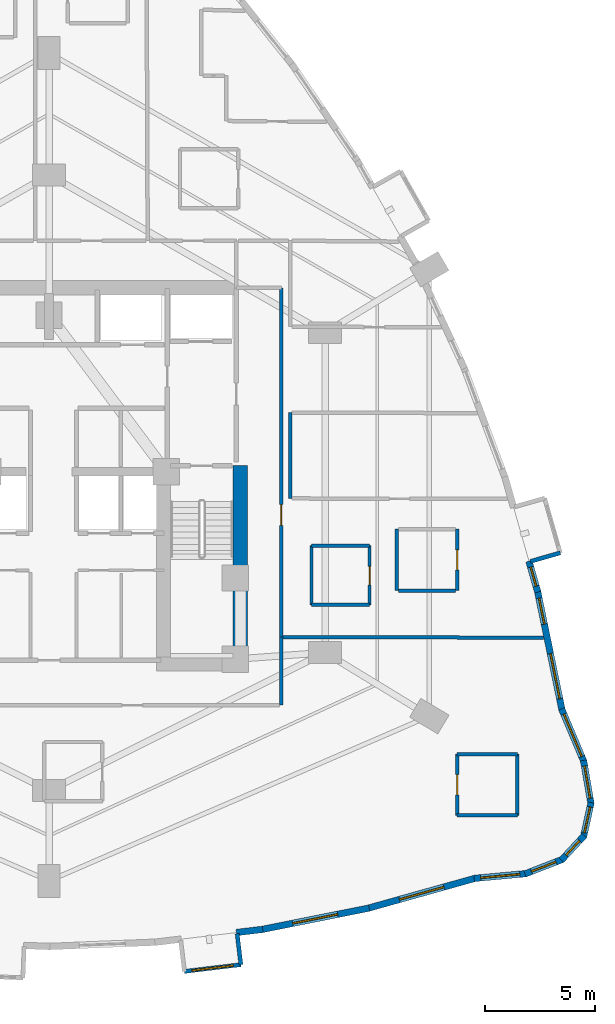
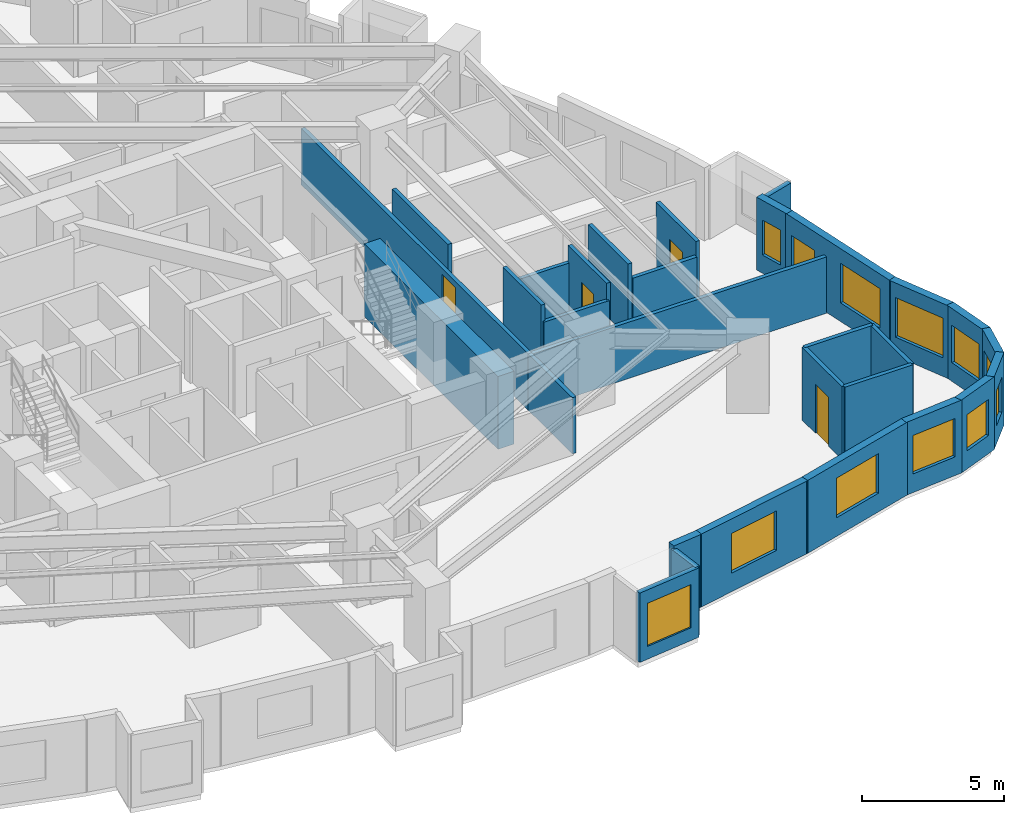
# One storey, part 9 of 13: 30 walls, 12 windows, 4 doors, 16 openings.
"""IFC4 building model written with IfcOpenShell, lengths in metres."""

from ifc_helpers import new_model, si_unit, direction, frame, frame_2d, origin, place, context, subcontext, project, spatial, rectangle, extrude, material, layer, layer_set, type_object, element, fill, save


model = new_model("IFC4")

# Units and contexts
model_context = context("Model", 3, precision=1e-05, world=origin(), true_north=direction((0.0, 1.0)))
body_context = subcontext(model_context, "Body", "Model", "MODEL_VIEW")
ifc_project = project(units=[si_unit("LENGTHUNIT", "METRE"), si_unit("AREAUNIT", "SQUARE_METRE"), si_unit("VOLUMEUNIT", "CUBIC_METRE"), si_unit("PLANEANGLEUNIT", "RADIAN"), si_unit("MASSUNIT", "GRAM", prefix="KILO")], contexts=[model_context])

# Site, building, storey
site_placement = place(None, origin())
site = spatial("IfcSite", under=ifc_project, at=site_placement, CompositionType="ELEMENT")
building_placement = place(site_placement, origin())
building = spatial("IfcBuilding", under=site, at=building_placement, Name="Miruveldt Soraemaru", CompositionType="ELEMENT")
storey_placement = place(building_placement, frame((0.0, 0.0, 49.60009765625)))
storey = spatial("IfcBuildingStorey", under=building, at=storey_placement, Name="L13", CompositionType="ELEMENT", Elevation=49.60009765625)

# Wall
ifc_material_1 = material(Name="White powder-coated aluminium EN AW-6060 T6", Category="aluminium")
ifc_layer_1 = layer(ifc_material_1, 0.18994140625, Name="White powder-coated aluminium EN AW-6060 T6", Category="aluminium")
ifc_layer_set_1 = layer_set([ifc_layer_1], Name="White powder-coated aluminium EN AW-6060 T6")
wall_type_1 = type_object("IfcWallType", Name="WALL-BAY-ALU190", PredefinedType="SOLIDWALL", material=ifc_layer_set_1)
wall_1_placement = place(storey_placement, frame((52.755615234375, 21.554931640625, 0.0), z_axis=(0.0, 0.0, 1.0), x_axis=(-0.119057405757, 0.992887372331, 0.0)))
element("IfcWall", 1, at=wall_1_placement, inside=storey, type_object=wall_type_1, Name="L13 Bay Window Side Cheek 4R", PredefinedType="SOLIDWALL", context=body_context, shape_type="SweptSolid", body=[
    extrude(rectangle(XDim=1.42529296875, YDim=0.18994140625, at=frame_2d((0.712646484375, 0.0))), origin(), (0.0, 0.0, 1.0), 2.974853515625),
])

# Wall, opening, window
wall_2_placement = place(storey_placement, frame((50.174072265625, 21.245361328125, 0.0), z_axis=(0.0, 0.0, 1.0), x_axis=(0.992886610106, 0.119063762211, 0.0)))
wall_2 = element("IfcWall", 2, at=wall_2_placement, inside=storey, type_object=wall_type_1, Name="L13 Bay Window Front Frame 4", PredefinedType="SOLIDWALL", context=body_context, shape_type="SweptSolid", body=[
    extrude(rectangle(XDim=2.60009765625, YDim=0.18994140625, at=frame_2d((1.300048828125, 0.0))), origin(), (0.0, 0.0, 1.0), 2.974853515625),
])
opening_1_placement = place(wall_2_placement, frame((0.35009765625, 0.0, 0.550048828125)))
opening_1 = element("IfcOpeningElement", 3, at=opening_1_placement, cuts=wall_2, Name="Opening WN-6", PredefinedType="OPENING", context=body_context, shape_type="SweptSolid", body=[
    extrude(rectangle(XDim=1.89990234375, YDim=1.85009765625, at=frame_2d((0.949951171875, 0.925048828125))), frame((0.0, 0.10498046875, 0.0), z_axis=(0.0, -1.0, 0.0), x_axis=(1.0, 0.0, 0.0)), (0.0, 0.0, 1.0), 0.2099609375),
])
ifc_material_2 = material(Name="Triple low-e insulated glazing", Category="glass")
window_type_1 = type_object("IfcWindowType", Name="WIN-BAYW-1900x1850", PartitioningType="SINGLE_PANEL", PredefinedType="WINDOW", material=ifc_material_2)
window_1_placement = place(opening_1_placement, origin())
window_1 = element("IfcWindow", 4, at=window_1_placement, inside=storey, type_object=window_type_1, Name="L13 Projecting Bay Window 4", OverallHeight=1.85009765625, OverallWidth=1.89990234375, PartitioningType="SINGLE_PANEL", PredefinedType="WINDOW", context=body_context, shape_type="SweptSolid", body=[
    extrude(rectangle(XDim=1.89990234375, YDim=1.85009765625, at=frame_2d((0.949951171875, 0.925048828125))), frame((0.0, 0.030029296875, 0.0), z_axis=(0.0, -1.0, 0.0), x_axis=(1.0, 0.0, 0.0)), (0.0, 0.0, 1.0), 0.06005859375),
])
fill(opening_1, window_1)

# Walls
wall_3_placement = place(storey_placement, frame((65.96630859375, 39.958984375, 0.0), z_axis=(0.0, 0.0, 1.0), x_axis=(0.961407497968, 0.27512837522, 0.0)))
element("IfcWall", 5, at=wall_3_placement, inside=storey, type_object=wall_type_1, Name="L13 Bay Window Side Cheek 5L", PredefinedType="SOLIDWALL", context=body_context, shape_type="SweptSolid", body=[
    extrude(rectangle(XDim=1.425048828125, YDim=0.18994140625, at=frame_2d((0.71240234375, 0.0))), origin(), (0.0, 0.0, 1.0), 2.974853515625),
])
ifc_material_3 = material(Name="Concrete C80/95 (80 MPa)", Category="concrete")
ifc_layer_2 = layer(ifc_material_3, 0.64990234375, Name="Concrete C80/95 (80 MPa)", Category="concrete")
ifc_layer_set_2 = layer_set([ifc_layer_2], Name="Concrete C80/95 (80 MPa)")
wall_type_2 = type_object("IfcWallType", Name="WALL-CW-650", PredefinedType="SHEAR", material=ifc_layer_set_2)
wall_4_placement = place(storey_placement, frame((52.72509765625, 34.949951171875, 0.0), z_axis=(0.0, 0.0, 1.0), x_axis=(0.0, 1.0, 0.0)))
element("IfcWall", 6, at=wall_4_placement, inside=storey, type_object=wall_type_2, Name="L13 Central Core Shear Wall E1", PredefinedType="SHEAR", context=body_context, shape_type="SweptSolid", body=[
    extrude(rectangle(XDim=9.400146484375, YDim=0.64990234375, at=frame_2d((4.7001953125, 0.0))), origin(), (0.0, 0.0, 1.0), 3.125),
])
ifc_material_4 = material(Name="Precast concrete C45/55 (45 MPa)", Category="concrete")
ifc_layer_3 = layer(ifc_material_4, 0.300048828125, Name="Precast concrete C45/55 (45 MPa)", Category="concrete")
ifc_layer_set_3 = layer_set([ifc_layer_3], Name="Precast concrete C45/55 (45 MPa)")
wall_type_3 = type_object("IfcWallType", Name="WALL-EXT-PC300", PredefinedType="SOLIDWALL", material=ifc_layer_set_3)
wall_5_placement = place(storey_placement, frame((52.549560546875, 23.02099609375, 0.0), z_axis=(0.0, 0.0, 1.0), x_axis=(0.992888272036, 0.119049902368, 0.0)))
element("IfcWall", 7, at=wall_5_placement, inside=storey, type_object=wall_type_3, Name="L13 Precast Pier Wall 26B", PredefinedType="SOLIDWALL", context=body_context, shape_type="SweptSolid", body=[
    extrude(rectangle(XDim=1.2119140625, YDim=0.300048828125, at=frame_2d((0.60595703125, 0.0))), origin(), (0.0, 0.0, 1.0), 3.125),
])

# Wall, opening, window
wall_6_placement = place(storey_placement, frame((53.683837890625, 23.154296875, 0.0), z_axis=(0.0, 0.0, 1.0), x_axis=(0.980576938259, 0.196134821372, 0.0)))
wall_6 = element("IfcWall", 8, at=wall_6_placement, inside=storey, type_object=wall_type_3, Name="L13 Precast Concrete Facade Wall 27", PredefinedType="SOLIDWALL", context=body_context, shape_type="SweptSolid", body=[
    extrude(rectangle(XDim=5.025146484375, YDim=0.300048828125, at=frame_2d((2.5126953125, 0.0))), origin(), (0.0, 0.0, 1.0), 3.125),
])
opening_2_placement = place(wall_6_placement, frame((1.4619140625, 0.0, 0.800048828125)))
opening_2 = element("IfcOpeningElement", 9, at=opening_2_placement, cuts=wall_6, Name="Opening WN-1", PredefinedType="OPENING", context=body_context, shape_type="SweptSolid", body=[
    extrude(rectangle(XDim=2.10009765625, YDim=1.699951171875, at=frame_2d((1.050048828125, 0.85009765625))), frame((0.0, 0.16015625, 0.0), z_axis=(0.0, -1.0, 0.0), x_axis=(1.0, 0.0, 0.0)), (0.0, 0.0, 1.0), 0.320068359375),
])
window_type_2 = type_object("IfcWindowType", Name="WIN-PUNCH-2100x1700", PartitioningType="SINGLE_PANEL", PredefinedType="WINDOW", material=ifc_material_2)
window_2_placement = place(opening_2_placement, origin())
window_2 = element("IfcWindow", 10, at=window_2_placement, inside=storey, type_object=window_type_2, Name="L13 Punched Triple-Glazed Window 27.1", OverallHeight=1.699951171875, OverallWidth=2.10009765625, PartitioningType="SINGLE_PANEL", PredefinedType="WINDOW", context=body_context, shape_type="SweptSolid", body=[
    extrude(rectangle(XDim=2.10009765625, YDim=1.699951171875, at=frame_2d((1.050048828125, 0.85009765625))), frame((0.0, 0.030029296875, 0.0), z_axis=(0.0, -1.0, 0.0), x_axis=(1.0, 0.0, 0.0)), (0.0, 0.0, 1.0), 0.06005859375),
])
fill(opening_2, window_2)

wall_7_placement = place(storey_placement, frame((58.54345703125, 24.12353515625, 0.0), z_axis=(0.0, 0.0, 1.0), x_axis=(0.962965506561, 0.269624615297, 0.0)))
wall_7 = element("IfcWall", 11, at=wall_7_placement, inside=storey, type_object=wall_type_3, Name="L13 Precast Concrete Facade Wall 28", PredefinedType="SOLIDWALL", context=body_context, shape_type="SweptSolid", body=[
    extrude(rectangle(XDim=5.115966796875, YDim=0.300048828125, at=frame_2d((2.55810546875, 0.0))), origin(), (0.0, 0.0, 1.0), 3.125),
])
opening_3_placement = place(wall_7_placement, frame((1.508056640625, 0.0, 0.800048828125)))
opening_3 = element("IfcOpeningElement", 12, at=opening_3_placement, cuts=wall_7, Name="Opening WN-1", PredefinedType="OPENING", context=body_context, shape_type="SweptSolid", body=[
    extrude(rectangle(XDim=2.10009765625, YDim=1.699951171875, at=frame_2d((1.050048828125, 0.85009765625))), frame((0.0, 0.16015625, 0.0), z_axis=(0.0, -1.0, 0.0), x_axis=(1.0, 0.0, 0.0)), (0.0, 0.0, 1.0), 0.320068359375),
])
window_3_placement = place(opening_3_placement, origin())
window_3 = element("IfcWindow", 13, at=window_3_placement, inside=storey, type_object=window_type_2, Name="L13 Punched Triple-Glazed Window 28.1", OverallHeight=1.699951171875, OverallWidth=2.10009765625, PartitioningType="SINGLE_PANEL", PredefinedType="WINDOW", context=body_context, shape_type="SweptSolid", body=[
    extrude(rectangle(XDim=2.10009765625, YDim=1.699951171875, at=frame_2d((1.050048828125, 0.85009765625))), frame((0.0, 0.030029296875, 0.0), z_axis=(0.0, -1.0, 0.0), x_axis=(1.0, 0.0, 0.0)), (0.0, 0.0, 1.0), 0.06005859375),
])
fill(opening_3, window_3)

wall_8_placement = place(storey_placement, frame((63.4013671875, 25.490234375, 0.0), z_axis=(0.0, 0.0, 1.0), x_axis=(0.995763667414, 0.091949544092, 0.0)))
wall_8 = element("IfcWall", 14, at=wall_8_placement, inside=storey, type_object=wall_type_3, Name="L13 Precast Concrete Facade Wall 29", PredefinedType="SOLIDWALL", context=body_context, shape_type="SweptSolid", body=[
    extrude(rectangle(XDim=2.397705078125, YDim=0.300048828125, at=frame_2d((1.19873046875, 0.0))), origin(), (0.0, 0.0, 1.0), 3.125),
])
opening_4_placement = place(wall_8_placement, frame((0.299072265625, 0.0, 0.800048828125)))
opening_4 = element("IfcOpeningElement", 15, at=opening_4_placement, cuts=wall_8, Name="Opening WN-2", PredefinedType="OPENING", context=body_context, shape_type="SweptSolid", body=[
    extrude(rectangle(XDim=1.800048828125, YDim=1.64990234375, at=frame_2d((0.89990234375, 0.824951171875))), frame((0.0, 0.16015625, 0.0), z_axis=(0.0, -1.0, 0.0), x_axis=(1.0, 0.0, 0.0)), (0.0, 0.0, 1.0), 0.320068359375),
])
window_type_3 = type_object("IfcWindowType", Name="WIN-PUNCH-1800x1650", PartitioningType="SINGLE_PANEL", PredefinedType="WINDOW", material=ifc_material_2)
window_4_placement = place(opening_4_placement, origin())
window_4 = element("IfcWindow", 16, at=window_4_placement, inside=storey, type_object=window_type_3, Name="L13 Punched Triple-Glazed Window 29.1", OverallHeight=1.64990234375, OverallWidth=1.800048828125, PartitioningType="SINGLE_PANEL", PredefinedType="WINDOW", context=body_context, shape_type="SweptSolid", body=[
    extrude(rectangle(XDim=1.800048828125, YDim=1.64990234375, at=frame_2d((0.89990234375, 0.824951171875))), frame((0.0, 0.030029296875, 0.0), z_axis=(0.0, -1.0, 0.0), x_axis=(1.0, 0.0, 0.0)), (0.0, 0.0, 1.0), 0.06005859375),
])
fill(opening_4, window_4)

wall_9_placement = place(storey_placement, frame((65.72119140625, 25.69482421875, 0.0), z_axis=(0.0, 0.0, 1.0), x_axis=(0.93226755556, 0.361769546603, 0.0)))
wall_9 = element("IfcWall", 17, at=wall_9_placement, inside=storey, type_object=wall_type_3, Name="L13 Precast Concrete Facade Wall 30", PredefinedType="SOLIDWALL", context=body_context, shape_type="SweptSolid", body=[
    extrude(rectangle(XDim=1.845703125, YDim=0.300048828125, at=frame_2d((0.9228515625, 0.0))), origin(), (0.0, 0.0, 1.0), 3.125),
])
opening_5_placement = place(wall_9_placement, frame((0.322998046875, 0.0, 0.780029296875)))
opening_5 = element("IfcOpeningElement", 18, at=opening_5_placement, cuts=wall_9, Name="Opening WN-4", PredefinedType="OPENING", context=body_context, shape_type="SweptSolid", body=[
    extrude(rectangle(XDim=1.199951171875, YDim=1.550048828125, at=frame_2d((0.60009765625, 0.77490234375))), frame((0.0, 0.16015625, 0.0), z_axis=(0.0, -1.0, 0.0), x_axis=(1.0, 0.0, 0.0)), (0.0, 0.0, 1.0), 0.320068359375),
])
window_type_4 = type_object("IfcWindowType", Name="WIN-PUNCH-1200x1550", PartitioningType="SINGLE_PANEL", PredefinedType="WINDOW", material=ifc_material_2)
window_5_placement = place(opening_5_placement, origin())
window_5 = element("IfcWindow", 19, at=window_5_placement, inside=storey, type_object=window_type_4, Name="L13 Punched Triple-Glazed Window 30.1", OverallHeight=1.550048828125, OverallWidth=1.199951171875, PartitioningType="SINGLE_PANEL", PredefinedType="WINDOW", context=body_context, shape_type="SweptSolid", body=[
    extrude(rectangle(XDim=1.199951171875, YDim=1.550048828125, at=frame_2d((0.60009765625, 0.77490234375))), frame((0.0, 0.030029296875, 0.0), z_axis=(0.0, -1.0, 0.0), x_axis=(1.0, 0.0, 0.0)), (0.0, 0.0, 1.0), 0.06005859375),
])
fill(opening_5, window_5)

wall_10_placement = place(storey_placement, frame((67.385498046875, 26.32421875, 0.0), z_axis=(0.0, 0.0, 1.0), x_axis=(0.680212432131, 0.733015038846, 0.0)))
wall_10 = element("IfcWall", 20, at=wall_10_placement, inside=storey, type_object=wall_type_3, Name="L13 Precast Concrete Facade Wall 31", PredefinedType="SOLIDWALL", context=body_context, shape_type="SweptSolid", body=[
    extrude(rectangle(XDim=1.530517578125, YDim=0.300048828125, at=frame_2d((0.76513671875, 0.0))), origin(), (0.0, 0.0, 1.0), 3.125),
])
opening_6_placement = place(wall_10_placement, frame((0.31494140625, 0.0, 0.780029296875)))
opening_6 = element("IfcOpeningElement", 21, at=opening_6_placement, cuts=wall_10, Name="Opening WN-7", PredefinedType="OPENING", context=body_context, shape_type="SweptSolid", body=[
    extrude(rectangle(XDim=0.89990234375, YDim=1.5, at=frame_2d((0.449951171875, 0.75))), frame((0.0, 0.16015625, 0.0), z_axis=(0.0, -1.0, 0.0), x_axis=(1.0, 0.0, 0.0)), (0.0, 0.0, 1.0), 0.320068359375),
])
window_type_5 = type_object("IfcWindowType", Name="WIN-PUNCH-900x1500", PartitioningType="SINGLE_PANEL", PredefinedType="WINDOW", material=ifc_material_2)
window_6_placement = place(opening_6_placement, origin())
window_6 = element("IfcWindow", 22, at=window_6_placement, inside=storey, type_object=window_type_5, Name="L13 Punched Triple-Glazed Window 31.1", OverallHeight=1.5, OverallWidth=0.89990234375, PartitioningType="SINGLE_PANEL", PredefinedType="WINDOW", context=body_context, shape_type="SweptSolid", body=[
    extrude(rectangle(XDim=0.89990234375, YDim=1.5, at=frame_2d((0.449951171875, 0.75))), frame((0.0, 0.030029296875, 0.0), z_axis=(0.0, -1.0, 0.0), x_axis=(1.0, 0.0, 0.0)), (0.0, 0.0, 1.0), 0.06005859375),
])
fill(opening_6, window_6)

wall_11_placement = place(storey_placement, frame((68.39501953125, 27.38623046875, 0.0), z_axis=(0.0, 0.0, 1.0), x_axis=(0.215851203475, 0.976426268573, 0.0)))
wall_11 = element("IfcWall", 23, at=wall_11_placement, inside=storey, type_object=wall_type_3, Name="L13 Precast Concrete Facade Wall 32", PredefinedType="SOLIDWALL", context=body_context, shape_type="SweptSolid", body=[
    extrude(rectangle(XDim=1.60498046875, YDim=0.300048828125, at=frame_2d((0.802490234375, 0.0))), origin(), (0.0, 0.0, 1.0), 3.125),
])
opening_7_placement = place(wall_11_placement, frame((0.202880859375, 0.0, 0.780029296875)))
opening_7 = element("IfcOpeningElement", 24, at=opening_7_placement, cuts=wall_11, Name="Opening WN-4", PredefinedType="OPENING", context=body_context, shape_type="SweptSolid", body=[
    extrude(rectangle(XDim=1.199951171875, YDim=1.550048828125, at=frame_2d((0.60009765625, 0.77490234375))), frame((0.0, 0.16015625, 0.0), z_axis=(0.0, -1.0, 0.0), x_axis=(1.0, 0.0, 0.0)), (0.0, 0.0, 1.0), 0.320068359375),
])
window_7_placement = place(opening_7_placement, origin())
window_7 = element("IfcWindow", 25, at=window_7_placement, inside=storey, type_object=window_type_4, Name="L13 Punched Triple-Glazed Window 32.1", OverallHeight=1.550048828125, OverallWidth=1.199951171875, PartitioningType="SINGLE_PANEL", PredefinedType="WINDOW", context=body_context, shape_type="SweptSolid", body=[
    extrude(rectangle(XDim=1.199951171875, YDim=1.550048828125, at=frame_2d((0.60009765625, 0.77490234375))), frame((0.0, 0.030029296875, 0.0), z_axis=(0.0, -1.0, 0.0), x_axis=(1.0, 0.0, 0.0)), (0.0, 0.0, 1.0), 0.06005859375),
])
fill(opening_7, window_7)

wall_12_placement = place(storey_placement, frame((68.73974609375, 28.884521484375, 0.0), z_axis=(0.0, 0.0, 1.0), x_axis=(-0.169361944639, 0.985553921259, 0.0)))
wall_12 = element("IfcWall", 26, at=wall_12_placement, inside=storey, type_object=wall_type_3, Name="L13 Precast Concrete Facade Wall 33", PredefinedType="SOLIDWALL", context=body_context, shape_type="SweptSolid", body=[
    extrude(rectangle(XDim=2.025390625, YDim=0.300048828125, at=frame_2d((1.0126953125, 0.0))), origin(), (0.0, 0.0, 1.0), 3.125),
])
opening_8_placement = place(wall_12_placement, frame((0.261962890625, 0.0, 0.800048828125)))
opening_8 = element("IfcOpeningElement", 27, at=opening_8_placement, cuts=wall_12, Name="Opening WN-3", PredefinedType="OPENING", context=body_context, shape_type="SweptSolid", body=[
    extrude(rectangle(XDim=1.5, YDim=1.60009765625, at=frame_2d((0.75, 0.800048828125))), frame((0.0, 0.16015625, 0.0), z_axis=(0.0, -1.0, 0.0), x_axis=(1.0, 0.0, 0.0)), (0.0, 0.0, 1.0), 0.320068359375),
])
window_type_6 = type_object("IfcWindowType", Name="WIN-PUNCH-1500x1600", PartitioningType="SINGLE_PANEL", PredefinedType="WINDOW", material=ifc_material_2)
window_8_placement = place(opening_8_placement, origin())
window_8 = element("IfcWindow", 28, at=window_8_placement, inside=storey, type_object=window_type_6, Name="L13 Punched Triple-Glazed Window 33.1", OverallHeight=1.60009765625, OverallWidth=1.5, PartitioningType="SINGLE_PANEL", PredefinedType="WINDOW", context=body_context, shape_type="SweptSolid", body=[
    extrude(rectangle(XDim=1.5, YDim=1.60009765625, at=frame_2d((0.75, 0.800048828125))), frame((0.0, 0.030029296875, 0.0), z_axis=(0.0, -1.0, 0.0), x_axis=(1.0, 0.0, 0.0)), (0.0, 0.0, 1.0), 0.06005859375),
])
fill(opening_8, window_8)

wall_13_placement = place(storey_placement, frame((68.416259765625, 30.813720703125, 0.0), z_axis=(0.0, 0.0, 1.0), x_axis=(-0.388605550907, 0.921404214123, 0.0)))
wall_13 = element("IfcWall", 29, at=wall_13_placement, inside=storey, type_object=wall_type_3, Name="L13 Precast Concrete Facade Wall 34", PredefinedType="SOLIDWALL", context=body_context, shape_type="SweptSolid", body=[
    extrude(rectangle(XDim=2.6259765625, YDim=0.300048828125, at=frame_2d((1.31298828125, 0.0))), origin(), (0.0, 0.0, 1.0), 3.125),
])
opening_9_placement = place(wall_13_placement, frame((0.262939453125, 0.0, 0.800048828125)))
opening_9 = element("IfcOpeningElement", 30, at=opening_9_placement, cuts=wall_13, Name="Opening WN-1", PredefinedType="OPENING", context=body_context, shape_type="SweptSolid", body=[
    extrude(rectangle(XDim=2.10009765625, YDim=1.699951171875, at=frame_2d((1.050048828125, 0.85009765625))), frame((0.0, 0.16015625, 0.0), z_axis=(0.0, -1.0, 0.0), x_axis=(1.0, 0.0, 0.0)), (0.0, 0.0, 1.0), 0.320068359375),
])
window_9_placement = place(opening_9_placement, origin())
window_9 = element("IfcWindow", 31, at=window_9_placement, inside=storey, type_object=window_type_2, Name="L13 Punched Triple-Glazed Window 34.1", OverallHeight=1.699951171875, OverallWidth=2.10009765625, PartitioningType="SINGLE_PANEL", PredefinedType="WINDOW", context=body_context, shape_type="SweptSolid", body=[
    extrude(rectangle(XDim=2.10009765625, YDim=1.699951171875, at=frame_2d((1.050048828125, 0.85009765625))), frame((0.0, 0.030029296875, 0.0), z_axis=(0.0, -1.0, 0.0), x_axis=(1.0, 0.0, 0.0)), (0.0, 0.0, 1.0), 0.06005859375),
])
fill(opening_9, window_9)

# Wall, openings, windows
wall_14_placement = place(storey_placement, frame((67.41650390625, 33.1669921875, 0.0), z_axis=(0.0, 0.0, 1.0), x_axis=(-0.20157756221, 0.979472555212, 0.0)))
wall_14 = element("IfcWall", 32, at=wall_14_placement, inside=storey, type_object=wall_type_3, Name="L13 Precast Concrete Facade Wall 35", PredefinedType="SOLIDWALL", context=body_context, shape_type="SweptSolid", body=[
    extrude(rectangle(XDim=5.576171875, YDim=0.300048828125, at=frame_2d((2.7880859375, 0.0))), origin(), (0.0, 0.0, 1.0), 3.125),
])
opening_10_placement = place(wall_14_placement, frame((0.5400390625, 0.0, 0.800048828125)))
opening_10 = element("IfcOpeningElement", 33, at=opening_10_placement, cuts=wall_14, Name="Opening WN-1", PredefinedType="OPENING", context=body_context, shape_type="SweptSolid", body=[
    extrude(rectangle(XDim=2.10009765625, YDim=1.699951171875, at=frame_2d((1.050048828125, 0.85009765625))), frame((0.0, 0.16015625, 0.0), z_axis=(0.0, -1.0, 0.0), x_axis=(1.0, 0.0, 0.0)), (0.0, 0.0, 1.0), 0.320068359375),
])
opening_11_placement = place(wall_14_placement, frame((4.01806640625, 0.0, 0.780029296875)))
opening_11 = element("IfcOpeningElement", 34, at=opening_11_placement, cuts=wall_14, Name="Opening WN-4", PredefinedType="OPENING", context=body_context, shape_type="SweptSolid", body=[
    extrude(rectangle(XDim=1.199951171875, YDim=1.550048828125, at=frame_2d((0.60009765625, 0.77490234375))), frame((0.0, 0.16015625, 0.0), z_axis=(0.0, -1.0, 0.0), x_axis=(1.0, 0.0, 0.0)), (0.0, 0.0, 1.0), 0.320068359375),
])
window_10_placement = place(opening_11_placement, origin())
window_10 = element("IfcWindow", 35, at=window_10_placement, inside=storey, type_object=window_type_4, Name="L13 Punched Triple-Glazed Window 35.2", OverallHeight=1.550048828125, OverallWidth=1.199951171875, PartitioningType="SINGLE_PANEL", PredefinedType="WINDOW", context=body_context, shape_type="SweptSolid", body=[
    extrude(rectangle(XDim=1.199951171875, YDim=1.550048828125, at=frame_2d((0.60009765625, 0.77490234375))), frame((0.0, 0.030029296875, 0.0), z_axis=(0.0, -1.0, 0.0), x_axis=(1.0, 0.0, 0.0)), (0.0, 0.0, 1.0), 0.06005859375),
])
fill(opening_11, window_10)
window_11_placement = place(opening_10_placement, origin())
window_11 = element("IfcWindow", 36, at=window_11_placement, inside=storey, type_object=window_type_2, Name="L13 Punched Triple-Glazed Window 35.1", OverallHeight=1.699951171875, OverallWidth=2.10009765625, PartitioningType="SINGLE_PANEL", PredefinedType="WINDOW", context=body_context, shape_type="SweptSolid", body=[
    extrude(rectangle(XDim=2.10009765625, YDim=1.699951171875, at=frame_2d((1.050048828125, 0.85009765625))), frame((0.0, 0.030029296875, 0.0), z_axis=(0.0, -1.0, 0.0), x_axis=(1.0, 0.0, 0.0)), (0.0, 0.0, 1.0), 0.06005859375),
])
fill(opening_10, window_11)

# Wall, opening, window
wall_15_placement = place(storey_placement, frame((66.30908203125, 38.560791015625, 0.0), z_axis=(0.0, 0.0, 1.0), x_axis=(-0.274940666796, 0.961461195131, 0.0)))
wall_15 = element("IfcWall", 37, at=wall_15_placement, inside=storey, type_object=wall_type_3, Name="L13 Precast Pier Wall 36A", PredefinedType="SOLIDWALL", context=body_context, shape_type="SweptSolid", body=[
    extrude(rectangle(XDim=1.46875, YDim=0.300048828125, at=frame_2d((0.734375, 0.0))), origin(), (0.0, 0.0, 1.0), 3.125),
])
opening_12_placement = place(wall_15_placement, frame((0.283935546875, 0.0, 0.780029296875)))
opening_12 = element("IfcOpeningElement", 38, at=opening_12_placement, cuts=wall_15, Name="Opening WN-7", PredefinedType="OPENING", context=body_context, shape_type="SweptSolid", body=[
    extrude(rectangle(XDim=0.89990234375, YDim=1.5, at=frame_2d((0.449951171875, 0.75))), frame((0.0, 0.16015625, 0.0), z_axis=(0.0, -1.0, 0.0), x_axis=(1.0, 0.0, 0.0)), (0.0, 0.0, 1.0), 0.320068359375),
])
window_12_placement = place(opening_12_placement, origin())
window_12 = element("IfcWindow", 39, at=window_12_placement, inside=storey, type_object=window_type_5, Name="L13 Punched Triple-Glazed Window 36A.1", OverallHeight=1.5, OverallWidth=0.89990234375, PartitioningType="SINGLE_PANEL", PredefinedType="WINDOW", context=body_context, shape_type="SweptSolid", body=[
    extrude(rectangle(XDim=0.89990234375, YDim=1.5, at=frame_2d((0.449951171875, 0.75))), frame((0.0, 0.030029296875, 0.0), z_axis=(0.0, -1.0, 0.0), x_axis=(1.0, 0.0, 0.0)), (0.0, 0.0, 1.0), 0.06005859375),
])
fill(opening_12, window_12)

# Wall, opening, door
ifc_material_5 = material(Name="Gypsum plasterboard lining", Category="gypsum")
ifc_layer_4 = layer(ifc_material_5, 0.14990234375, Name="Gypsum plasterboard lining", Category="gypsum")
ifc_layer_set_4 = layer_set([ifc_layer_4], Name="Gypsum plasterboard lining")
wall_type_4 = type_object("IfcWallType", Name="WALL-INT-PLUMB", PredefinedType="PLUMBINGWALL", material=ifc_layer_set_4)
wall_16_placement = place(storey_placement, frame((58.6298828125, 37.97998046875, 0.0), z_axis=(0.0, 0.0, 1.0), x_axis=(0.0, 1.0, 0.0)))
wall_16 = element("IfcWall", 40, at=wall_16_placement, inside=storey, type_object=wall_type_4, Name="L13 Partition Wall 54", PredefinedType="PLUMBINGWALL", context=body_context, shape_type="SweptSolid", body=[
    extrude(rectangle(XDim=2.699951171875, YDim=0.14990234375, at=frame_2d((1.35009765625, 0.0))), origin(), (0.0, 0.0, 1.0), 3.125),
])
opening_13_placement = place(wall_16_placement, frame((0.909912109375, 0.0, 0.0)))
opening_13 = element("IfcOpeningElement", 41, at=opening_13_placement, cuts=wall_16, Name="Opening FD3", PredefinedType="OPENING", context=body_context, shape_type="SweptSolid", body=[
    extrude(rectangle(XDim=0.85009765625, YDim=2.10009765625, at=frame_2d((0.425048828125, 1.050048828125))), frame((0.0, 0.0849609375, 0.0), z_axis=(0.0, -1.0, 0.0), x_axis=(1.0, 0.0, 0.0)), (0.0, 0.0, 1.0), 0.169921875),
])
ifc_material_6 = material(Name="Anodised aluminium EN AW-6063 T6", Category="aluminium")
door_type_1 = type_object("IfcDoorType", Name="DOOR-FD3-850", OperationType="NOTDEFINED", PredefinedType="DOOR", material=ifc_material_6)
door_1_placement = place(opening_13_placement, origin())
door_1 = element("IfcDoor", 42, at=door_1_placement, inside=storey, type_object=door_type_1, Name="L13 Unit 1306 BTH Door", OperationType="SINGLE_SWING_RIGHT", OverallHeight=2.10009765625, OverallWidth=0.85009765625, PredefinedType="DOOR", context=body_context, shape_type="SweptSolid", body=[
    extrude(rectangle(XDim=0.85009765625, YDim=2.10009765625, at=frame_2d((0.425048828125, 1.050048828125))), frame((0.0, 0.02490234375, 0.0), z_axis=(0.0, -1.0, 0.0), x_axis=(1.0, 0.0, 0.0)), (0.0, 0.0, 1.0), 0.050048828125),
])
fill(opening_13, door_1)

# Walls
wall_17_placement = place(storey_placement, frame((55.97998046875, 40.679931640625, 0.0), z_axis=(0.0, 0.0, 1.0), x_axis=(0.0, -1.0, 0.0)))
element("IfcWall", 43, at=wall_17_placement, inside=storey, type_object=wall_type_4, Name="L13 Partition Wall 56", PredefinedType="PLUMBINGWALL", context=body_context, shape_type="SweptSolid", body=[
    extrude(rectangle(XDim=2.699951171875, YDim=0.14990234375, at=frame_2d((1.35009765625, 0.0))), origin(), (0.0, 0.0, 1.0), 3.125),
])
for number, where, z_axis, x_axis, name in (
    (44, (58.6298828125, 40.679931640625, 0.0), (0.0, 0.0, 1.0), (-1.0, 0.0, 0.0), "L13 Partition Wall 55"),
    (45, (55.97998046875, 37.97998046875, 0.0), (0.0, 0.0, 1.0), (1.0, 0.0, 0.0), "L13 Partition Wall 57"),
):
    element("IfcWall", number, at=place(storey_placement, frame(where, z_axis=z_axis, x_axis=x_axis)), inside=storey, type_object=wall_type_4, Name=name, PredefinedType="PLUMBINGWALL", context=body_context, shape_type="SweptSolid", body=[
        extrude(rectangle(XDim=2.64990234375, YDim=0.14990234375, at=frame_2d((1.324951171875, 0.0))), origin(), (0.0, 0.0, 1.0), 2.412841796875),
    ])

# Wall, opening, door
ifc_material_7 = material(Name="Concrete C40/50 (40 MPa)", Category="concrete")
ifc_layer_5 = layer(ifc_material_7, 0.159912109375, Name="Concrete C40/50 (40 MPa)", Category="concrete")
ifc_layer_set_5 = layer_set([ifc_layer_5], Name="Concrete C40/50 (40 MPa)")
wall_type_5 = type_object("IfcWallType", Name="WALL-INT-RC160", PredefinedType="SOLIDWALL", material=ifc_layer_set_5)
wall_18_placement = place(storey_placement, frame((54.60009765625, 36.5048828125, 0.0), z_axis=(0.0, 0.0, 1.0), x_axis=(0.0, 1.0, 0.0)))
wall_18 = element("IfcWall", 46, at=wall_18_placement, inside=storey, type_object=wall_type_5, Name="L13 Partition Wall 7", PredefinedType="SOLIDWALL", context=body_context, shape_type="SweptSolid", body=[
    extrude(rectangle(XDim=15.945068359375, YDim=0.159912109375, at=frame_2d((7.97265625, 0.0))), origin(), (0.0, 0.0, 1.0), 2.412841796875),
])
opening_14_placement = place(wall_18_placement, frame((5.096923828125, 0.0, 0.0)))
opening_14 = element("IfcOpeningElement", 47, at=opening_14_placement, cuts=wall_18, Name="Opening FD2", PredefinedType="OPENING", context=body_context, shape_type="SweptSolid", body=[
    extrude(rectangle(XDim=0.949951171875, YDim=2.14990234375, at=frame_2d((0.47509765625, 1.074951171875))), frame((0.0, 0.08984375, 0.0), z_axis=(0.0, -1.0, 0.0), x_axis=(1.0, 0.0, 0.0)), (0.0, 0.0, 1.0), 0.179931640625),
])
door_type_2 = type_object("IfcDoorType", Name="DOOR-FD2-950", OperationType="NOTDEFINED", PredefinedType="DOOR", material=ifc_material_6)
door_2_placement = place(opening_14_placement, origin())
door_2 = element("IfcDoor", 48, at=door_2_placement, inside=storey, type_object=door_type_2, Name="L13 Unit 1306 Entrance Fire Door", OperationType="SINGLE_SWING_LEFT", OverallHeight=2.14990234375, OverallWidth=0.949951171875, PredefinedType="DOOR", context=body_context, shape_type="SweptSolid", body=[
    extrude(rectangle(XDim=0.949951171875, YDim=2.14990234375, at=frame_2d((0.47509765625, 1.074951171875))), frame((0.0, 0.02490234375, 0.0), z_axis=(0.0, -1.0, 0.0), x_axis=(1.0, 0.0, 0.0)), (0.0, 0.0, 1.0), 0.050048828125),
])
fill(opening_14, door_2)

wall_19_placement = place(storey_placement, frame((62.6298828125, 31.166015625, 0.0), z_axis=(0.0, 0.0, 1.0), x_axis=(0.0, -1.0, 0.0)))
wall_19 = element("IfcWall", 49, at=wall_19_placement, inside=storey, type_object=wall_type_5, Name="L13 Partition Wall 81", PredefinedType="SOLIDWALL", context=body_context, shape_type="SweptSolid", body=[
    extrude(rectangle(XDim=2.800048828125, YDim=0.159912109375, at=frame_2d((1.39990234375, 0.0))), origin(), (0.0, 0.0, 1.0), 3.125),
])
opening_15_placement = place(wall_19_placement, frame((0.93994140625, 0.0, 0.0)))
opening_15 = element("IfcOpeningElement", 50, at=opening_15_placement, cuts=wall_19, Name="Opening D3A", PredefinedType="OPENING", context=body_context, shape_type="SweptSolid", body=[
    extrude(rectangle(XDim=0.919921875, YDim=2.10009765625, at=frame_2d((0.4599609375, 1.050048828125))), frame((0.0, 0.08984375, 0.0), z_axis=(0.0, -1.0, 0.0), x_axis=(1.0, 0.0, 0.0)), (0.0, 0.0, 1.0), 0.179931640625),
])
door_type_3 = type_object("IfcDoorType", Name="DOOR-INT-920", OperationType="NOTDEFINED", PredefinedType="DOOR", material=ifc_material_6)
door_3_placement = place(opening_15_placement, origin())
door_3 = element("IfcDoor", 51, at=door_3_placement, inside=storey, type_object=door_type_3, Name="L13 Unit CL08 KIT Door", OperationType="SINGLE_SWING_LEFT", OverallHeight=2.10009765625, OverallWidth=0.919921875, PredefinedType="DOOR", context=body_context, shape_type="SweptSolid", body=[
    extrude(rectangle(XDim=0.919921875, YDim=2.10009765625, at=frame_2d((0.4599609375, 1.050048828125))), frame((0.0, 0.02490234375, 0.0), z_axis=(0.0, -1.0, 0.0), x_axis=(1.0, 0.0, 0.0)), (0.0, 0.0, 1.0), 0.050048828125),
])
fill(opening_15, door_3)

wall_20_placement = place(storey_placement, frame((62.6298828125, 38.6298828125, 0.0), z_axis=(0.0, 0.0, 1.0), x_axis=(0.0, 1.0, 0.0)))
wall_20 = element("IfcWall", 52, at=wall_20_placement, inside=storey, type_object=wall_type_5, Name="L13 Partition Wall 58", PredefinedType="SOLIDWALL", context=body_context, shape_type="SweptSolid", body=[
    extrude(rectangle(XDim=2.800048828125, YDim=0.159912109375, at=frame_2d((1.39990234375, 0.0))), origin(), (0.0, 0.0, 1.0), 3.125),
])
opening_16_placement = place(wall_20_placement, frame((0.93994140625, 0.0, 0.0)))
opening_16 = element("IfcOpeningElement", 53, at=opening_16_placement, cuts=wall_20, Name="Opening D3A", PredefinedType="OPENING", context=body_context, shape_type="SweptSolid", body=[
    extrude(rectangle(XDim=0.919921875, YDim=2.10009765625, at=frame_2d((0.4599609375, 1.050048828125))), frame((0.0, 0.08984375, 0.0), z_axis=(0.0, -1.0, 0.0), x_axis=(1.0, 0.0, 0.0)), (0.0, 0.0, 1.0), 0.179931640625),
])
door_4_placement = place(opening_16_placement, origin())
door_4 = element("IfcDoor", 54, at=door_4_placement, inside=storey, type_object=door_type_3, Name="L13 Unit 1306 KIT Door", OperationType="SINGLE_SWING_LEFT", OverallHeight=2.10009765625, OverallWidth=0.919921875, PredefinedType="DOOR", context=body_context, shape_type="SweptSolid", body=[
    extrude(rectangle(XDim=0.919921875, YDim=2.10009765625, at=frame_2d((0.4599609375, 1.050048828125))), frame((0.0, 0.02490234375, 0.0), z_axis=(0.0, -1.0, 0.0), x_axis=(1.0, 0.0, 0.0)), (0.0, 0.0, 1.0), 0.050048828125),
])
fill(opening_16, door_4)

# Walls
wall_21_placement = place(storey_placement, frame((54.679931640625, 36.5, 0.0), z_axis=(0.0, 0.0, 1.0), x_axis=(0.999998966346, -0.001437813036, 0.0)))
element("IfcWall", 55, at=wall_21_placement, inside=storey, type_object=wall_type_5, Name="L13 Partition Wall 67", PredefinedType="SOLIDWALL", context=body_context, shape_type="SweptSolid", body=[
    extrude(rectangle(XDim=11.885986328125, YDim=0.159912109375, at=frame_2d((5.94287109375, 0.0))), origin(), (0.0, 0.0, 1.0), 2.412841796875),
])
wall_22_placement = place(storey_placement, frame((55.0, 42.8349609375, 0.0), z_axis=(0.0, 0.0, 1.0), x_axis=(0.0, 1.0, 0.0)))
element("IfcWall", 56, at=wall_22_placement, inside=storey, type_object=wall_type_5, Name="L13 Partition Wall 63", PredefinedType="SOLIDWALL", context=body_context, shape_type="SweptSolid", body=[
    extrude(rectangle(XDim=3.922119140625, YDim=0.159912109375, at=frame_2d((1.9609375, 0.0))), origin(), (0.0, 0.0, 1.0), 3.125),
])
wall_23_placement = place(storey_placement, frame((54.60009765625, 33.39990234375, 0.0), z_axis=(0.0, 0.0, 1.0), x_axis=(0.0, 1.0, 0.0)))
element("IfcWall", 57, at=wall_23_placement, inside=storey, type_object=wall_type_5, Name="L13 Partition Wall 12", PredefinedType="SOLIDWALL", context=body_context, shape_type="SweptSolid", body=[
    extrude(rectangle(XDim=3.10009765625, YDim=0.159912109375, at=frame_2d((1.550048828125, 0.0))), origin(), (0.0, 0.0, 1.0), 2.412841796875),
])
for number, where, z_axis, x_axis, name in (
    (58, (65.3798828125, 28.365966796875, 0.0), (0.0, 0.0, 1.0), (0.0, 1.0, 0.0), "L13 Partition Wall 82"),
    (59, (59.8798828125, 41.429931640625, 0.0), (0.0, 0.0, 1.0), (0.0, -1.0, 0.0), "L13 Partition Wall 60"),
):
    element("IfcWall", number, at=place(storey_placement, frame(where, z_axis=z_axis, x_axis=x_axis)), inside=storey, type_object=wall_type_5, Name=name, PredefinedType="SOLIDWALL", context=body_context, shape_type="SweptSolid", body=[
        extrude(rectangle(XDim=2.800048828125, YDim=0.159912109375, at=frame_2d((1.39990234375, 0.0))), origin(), (0.0, 0.0, 1.0), 3.125),
    ])
for number, where, z_axis, x_axis, name in (
    (60, (65.3798828125, 31.166015625, 0.0), (0.0, 0.0, 1.0), (-1.0, 0.0, 0.0), "L13 Partition Wall 83"),
    (61, (62.6298828125, 28.365966796875, 0.0), (0.0, 0.0, 1.0), (1.0, 0.0, 0.0), "L13 Partition Wall 84"),
):
    element("IfcWall", number, at=place(storey_placement, frame(where, z_axis=z_axis, x_axis=x_axis)), inside=storey, type_object=wall_type_5, Name=name, PredefinedType="SOLIDWALL", context=body_context, shape_type="SweptSolid", body=[
        extrude(rectangle(XDim=2.75, YDim=0.159912109375, at=frame_2d((1.375, 0.0))), origin(), (0.0, 0.0, 1.0), 3.125),
    ])
wall_24_placement = place(storey_placement, frame((59.9599609375, 38.6298828125, 0.0), z_axis=(0.0, 0.0, 1.0), x_axis=(1.0, 0.0, 0.0)))
element("IfcWall", 62, at=wall_24_placement, inside=storey, type_object=wall_type_5, Name="L13 Partition Wall 61", PredefinedType="SOLIDWALL", context=body_context, shape_type="SweptSolid", body=[
    extrude(rectangle(XDim=2.590087890625, YDim=0.159912109375, at=frame_2d((1.294921875, 0.0))), origin(), (0.0, 0.0, 1.0), 2.512939453125),
])

save(model, "model.ifc")
